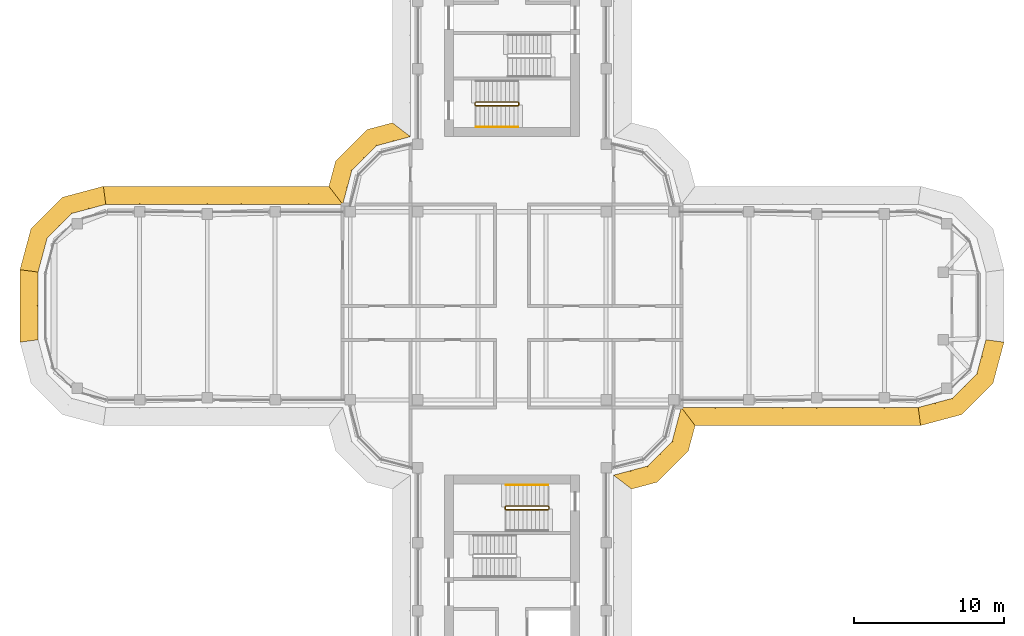
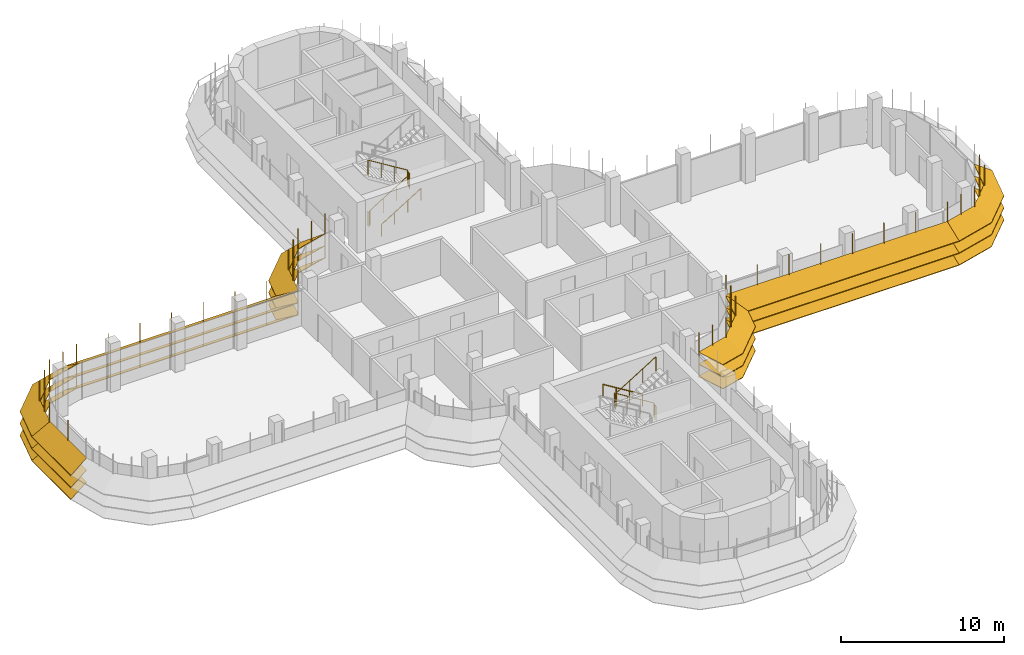
# One storey, part 17 of 19: 7 shading devices, 4 railings.
"""IFC4 building model written with IfcOpenShell, lengths in metres."""

from ifc_helpers import new_model, si_unit, direction, frame, origin, origin_2d, place, context, subcontext, project, spatial, polyline, circle, outline, extrude, faceted_brep, source, transform, mapped, material, type_object, element, save


model = new_model("IFC4")

# Units and contexts
model_context = context("Model", 3, precision=1e-05, world=origin(), true_north=direction((0.0, 1.0)))
body_context = subcontext(model_context, "Body", "Model", "MODEL_VIEW")
ifc_project = project(units=[si_unit("LENGTHUNIT", "METRE"), si_unit("AREAUNIT", "SQUARE_METRE"), si_unit("VOLUMEUNIT", "CUBIC_METRE"), si_unit("PLANEANGLEUNIT", "RADIAN"), si_unit("MASSUNIT", "GRAM", prefix="KILO")], contexts=[model_context])

# Site, building, storey
site_placement = place(None, origin())
site = spatial("IfcSite", under=ifc_project, at=site_placement, CompositionType="ELEMENT")
building_placement = place(site_placement, origin())
building = spatial("IfcBuilding", under=site, at=building_placement, Name="Zarbagh Exchange Tower", CompositionType="ELEMENT")
storey_placement = place(building_placement, frame((0.0, 0.0, 218.199951171875)))
storey = spatial("IfcBuildingStorey", under=building, at=storey_placement, Name="L53", CompositionType="ELEMENT", Elevation=218.199951171875)

# Railings
ifc_material_1 = material(Name="Stainless steel", Category="steel")
railing_type_1 = type_object("IfcRailingType", Name="Stair guard 1100 mm", PredefinedType="GUARDRAIL", material=ifc_material_1)
railing_1_placement = place(storey_placement, frame((-2.449951171875, 13.5, 0.0)))
element("IfcRailing", 1, at=railing_1_placement, inside=storey, type_object=railing_type_1, Name="ST2 stair guard 1", PredefinedType="GUARDRAIL", context=body_context, shape_type="SweptSolid", body=[
    extrude(circle(Radius=0.02392578125, at=origin_2d()), frame((0.0, 0.0, 1.076171875), z_axis=(0.0, -1.0, 0.0), x_axis=(1.0, 0.0, 0.0)), (0.0, 0.0, 1.0), 0.14990234375),
    extrude(circle(Radius=0.02392578125, at=origin_2d()), frame((0.0, -0.14990234375, 1.076171875), z_axis=(0.267953482034, -0.267953482034, 0.925419830635), x_axis=(0.707106781187, 0.707106781187, 0.0)), (0.0, 0.0, 1.0), 0.186767578125),
    extrude(circle(Radius=0.02392578125, at=origin_2d()), frame((0.050048828125, -0.199951171875, 1.2490234375), z_axis=(0.851069175582, 0.0, 0.525053576669), x_axis=(0.0, 1.0, 0.0)), (0.0, 0.0, 1.0), 3.289794921875),
    extrude(circle(Radius=0.02392578125, at=origin_2d()), frame((2.849853515625, -0.199951171875, 2.97607421875), z_axis=(0.707106781187, 0.707106781187, 0.0), x_axis=(-0.707106781187, 0.707106781187, 0.0)), (0.0, 0.0, 1.0), 0.07080078125),
    extrude(circle(Radius=0.02392578125, at=origin_2d()), frame((2.89990234375, -0.14990234375, 2.97607421875), z_axis=(0.0, 1.0, 0.0), x_axis=(-1.0, 0.0, 0.0)), (0.0, 0.0, 1.0), 0.14990234375),
    extrude(circle(Radius=0.02392578125, at=origin_2d()), frame((2.89990234375, 0.0, 2.97607421875), z_axis=(-0.268277960024, 0.268277960024, 0.925231793839), x_axis=(-0.707106781187, -0.707106781187, 0.0)), (0.0, 0.0, 1.0), 0.1865234375),
    extrude(circle(Radius=0.02392578125, at=origin_2d()), frame((2.849853515625, 0.050048828125, 3.14892578125), z_axis=(-0.851069175582, 0.0, 0.525053576669), x_axis=(0.0, -1.0, 0.0)), (0.0, 0.0, 1.0), 3.289794921875),
    extrude(circle(Radius=0.02099609375, at=origin_2d()), origin(), (0.0, 0.0, 1.0), 1.052001953125),
    extrude(circle(Radius=0.02099609375, at=origin_2d()), frame((0.0, -0.14990234375, 0.0)), (0.0, 0.0, 1.0), 1.052001953125),
    extrude(circle(Radius=0.02099609375, at=origin_2d()), frame((0.050048828125, -0.199951171875, 0.1728515625)), (0.0, 0.0, 1.0), 1.052001953125),
    extrude(circle(Radius=0.02099609375, at=origin_2d()), frame((0.9833984375, -0.199951171875, 0.74853515625)), (0.0, 0.0, 1.0), 1.052001953125),
    extrude(circle(Radius=0.02099609375, at=origin_2d()), frame((1.91650390625, -0.199951171875, 1.324462890625)), (0.0, 0.0, 1.0), 1.052001953125),
    extrude(circle(Radius=0.02099609375, at=origin_2d()), frame((2.849853515625, -0.199951171875, 1.900146484375)), (0.0, 0.0, 1.0), 1.052001953125),
    extrude(circle(Radius=0.02099609375, at=origin_2d()), frame((2.89990234375, -0.14990234375, 1.900146484375)), (0.0, 0.0, 1.0), 1.052001953125),
    extrude(circle(Radius=0.02099609375, at=origin_2d()), frame((2.89990234375, 0.0, 1.900146484375)), (0.0, 0.0, 1.0), 1.052001953125),
    extrude(circle(Radius=0.02099609375, at=origin_2d()), frame((2.849853515625, 0.050048828125, 2.07275390625)), (0.0, 0.0, 1.0), 1.052001953125),
    extrude(circle(Radius=0.02099609375, at=origin_2d()), frame((1.91650390625, 0.050048828125, 2.6484375)), (0.0, 0.0, 1.0), 1.052001953125),
    extrude(circle(Radius=0.02099609375, at=origin_2d()), frame((0.9833984375, 0.050048828125, 3.224365234375)), (0.0, 0.0, 1.0), 1.052001953125),
    extrude(circle(Radius=0.02099609375, at=origin_2d()), frame((0.050048828125, 0.050048828125, 3.800048828125)), (0.0, 0.0, 1.0), 1.052001953125),
])
railing_2_placement = place(storey_placement, frame((2.449951171875, -13.5, 0.0)))
element("IfcRailing", 2, at=railing_2_placement, inside=storey, type_object=railing_type_1, Name="ST4 stair guard 1", PredefinedType="GUARDRAIL", context=body_context, shape_type="SweptSolid", body=[
    extrude(circle(Radius=0.02392578125, at=origin_2d()), frame((0.0, 0.0, 1.076171875), z_axis=(0.0, 1.0, 0.0), x_axis=(-1.0, 0.0, 0.0)), (0.0, 0.0, 1.0), 0.14990234375),
    extrude(circle(Radius=0.02392578125, at=origin_2d()), frame((0.0, 0.14990234375, 1.076171875), z_axis=(-0.267953482034, 0.267953482034, 0.925419830635), x_axis=(-0.707106781187, -0.707106781187, 0.0)), (0.0, 0.0, 1.0), 0.186767578125),
    extrude(circle(Radius=0.02392578125, at=origin_2d()), frame((-0.050048828125, 0.199951171875, 1.2490234375), z_axis=(-0.851069175582, 0.0, 0.525053576669), x_axis=(0.0, -1.0, 0.0)), (0.0, 0.0, 1.0), 3.289794921875),
    extrude(circle(Radius=0.02392578125, at=origin_2d()), frame((-2.849853515625, 0.199951171875, 2.97607421875), z_axis=(-0.707106781187, -0.707106781187, 0.0), x_axis=(0.707106781187, -0.707106781187, 0.0)), (0.0, 0.0, 1.0), 0.07080078125),
    extrude(circle(Radius=0.02392578125, at=origin_2d()), frame((-2.89990234375, 0.14990234375, 2.97607421875), z_axis=(0.0, -1.0, 0.0), x_axis=(1.0, 0.0, 0.0)), (0.0, 0.0, 1.0), 0.14990234375),
    extrude(circle(Radius=0.02392578125, at=origin_2d()), frame((-2.89990234375, 0.0, 2.97607421875), z_axis=(0.268277960024, -0.268277960024, 0.925231793839), x_axis=(0.707106781187, 0.707106781187, 0.0)), (0.0, 0.0, 1.0), 0.1865234375),
    extrude(circle(Radius=0.02392578125, at=origin_2d()), frame((-2.849853515625, -0.050048828125, 3.14892578125), z_axis=(0.851069175582, 0.0, 0.525053576669), x_axis=(0.0, 1.0, 0.0)), (0.0, 0.0, 1.0), 3.289794921875),
    extrude(circle(Radius=0.02099609375, at=origin_2d()), origin(), (0.0, 0.0, 1.0), 1.052001953125),
    extrude(circle(Radius=0.02099609375, at=origin_2d()), frame((0.0, 0.14990234375, 0.0)), (0.0, 0.0, 1.0), 1.052001953125),
    extrude(circle(Radius=0.02099609375, at=origin_2d()), frame((-0.050048828125, 0.199951171875, 0.1728515625)), (0.0, 0.0, 1.0), 1.052001953125),
    extrude(circle(Radius=0.02099609375, at=origin_2d()), frame((-0.9833984375, 0.199951171875, 0.74853515625)), (0.0, 0.0, 1.0), 1.052001953125),
    extrude(circle(Radius=0.02099609375, at=origin_2d()), frame((-1.91650390625, 0.199951171875, 1.324462890625)), (0.0, 0.0, 1.0), 1.052001953125),
    extrude(circle(Radius=0.02099609375, at=origin_2d()), frame((-2.849853515625, 0.199951171875, 1.900146484375)), (0.0, 0.0, 1.0), 1.052001953125),
    extrude(circle(Radius=0.02099609375, at=origin_2d()), frame((-2.89990234375, 0.14990234375, 1.900146484375)), (0.0, 0.0, 1.0), 1.052001953125),
    extrude(circle(Radius=0.02099609375, at=origin_2d()), frame((-2.89990234375, 0.0, 1.900146484375)), (0.0, 0.0, 1.0), 1.052001953125),
    extrude(circle(Radius=0.02099609375, at=origin_2d()), frame((-2.849853515625, -0.050048828125, 2.07275390625)), (0.0, 0.0, 1.0), 1.052001953125),
    extrude(circle(Radius=0.02099609375, at=origin_2d()), frame((-1.91650390625, -0.050048828125, 2.6484375)), (0.0, 0.0, 1.0), 1.052001953125),
    extrude(circle(Radius=0.02099609375, at=origin_2d()), frame((-0.9833984375, -0.050048828125, 3.224365234375)), (0.0, 0.0, 1.0), 1.052001953125),
    extrude(circle(Radius=0.02099609375, at=origin_2d()), frame((-0.050048828125, -0.050048828125, 3.800048828125)), (0.0, 0.0, 1.0), 1.052001953125),
])
railing_type_2 = type_object("IfcRailingType", Name="Stair handrail 900 mm", PredefinedType="HANDRAIL", material=ifc_material_1)
railing_3_placement = place(storey_placement, frame((-2.39990234375, 11.89990234375, 0.1728515625)))
element("IfcRailing", 3, at=railing_3_placement, inside=storey, type_object=railing_type_2, Name="ST2 stair handrail 1", PredefinedType="HANDRAIL", context=body_context, shape_type="SweptSolid", body=[
    extrude(circle(Radius=0.02392578125, at=origin_2d()), frame((0.0, 0.0, 0.8759765625), z_axis=(0.851069175582, 0.0, 0.525053576669), x_axis=(0.0, 1.0, 0.0)), (0.0, 0.0, 1.0), 3.289794921875),
    extrude(circle(Radius=0.02099609375, at=origin_2d()), origin(), (0.0, 0.0, 1.0), 0.851806640625),
    extrude(circle(Radius=0.02099609375, at=origin_2d()), frame((0.933349609375, 0.0, 0.57568359375)), (0.0, 0.0, 1.0), 0.851806640625),
    extrude(circle(Radius=0.02099609375, at=origin_2d()), frame((1.866455078125, 0.0, 1.151611328125)), (0.0, 0.0, 1.0), 0.851806640625),
    extrude(circle(Radius=0.02099609375, at=origin_2d()), frame((2.7998046875, 0.0, 1.727294921875)), (0.0, 0.0, 1.0), 0.851806640625),
])
railing_4_placement = place(storey_placement, frame((2.39990234375, -11.89990234375, 0.1728515625)))
element("IfcRailing", 4, at=railing_4_placement, inside=storey, type_object=railing_type_2, Name="ST4 stair handrail 1", PredefinedType="HANDRAIL", context=body_context, shape_type="SweptSolid", body=[
    extrude(circle(Radius=0.02392578125, at=origin_2d()), frame((0.0, 0.0, 0.8759765625), z_axis=(-0.851069175582, 0.0, 0.525053576669), x_axis=(0.0, -1.0, 0.0)), (0.0, 0.0, 1.0), 3.289794921875),
    extrude(circle(Radius=0.02099609375, at=origin_2d()), origin(), (0.0, 0.0, 1.0), 0.851806640625),
    extrude(circle(Radius=0.02099609375, at=origin_2d()), frame((-0.933349609375, 0.0, 0.57568359375)), (0.0, 0.0, 1.0), 0.851806640625),
    extrude(circle(Radius=0.02099609375, at=origin_2d()), frame((-1.866455078125, 0.0, 1.151611328125)), (0.0, 0.0, 1.0), 0.851806640625),
    extrude(circle(Radius=0.02099609375, at=origin_2d()), frame((-2.7998046875, 0.0, 1.727294921875)), (0.0, 0.0, 1.0), 0.851806640625),
])

# Shading devices
ifc_material_2 = material(Name="Anodised aluminium blades and brackets", Category="aluminium")
shading_device_type = type_object("IfcShadingDeviceType", Name="SUNSHADE louvre band, 33.75 degree blades", PredefinedType="JALOUSIE", material=ifc_material_2)
shared_shape_1 = source(origin(), body_context, "Body", "Brep", [
    faceted_brep([(0.0, 0.0, 0.0), (0.0, 0.0, -0.048095703125), (-0.157958984375, -1.199951171875, -0.849853515625), (-0.157958984375, -1.199951171875, -0.8017578125), (2.65087890625, -1.199951171875, -0.8017578125), (2.65087890625, -1.199951171875, -0.849853515625), (2.329345703125, 0.0, -0.048095703125), (2.329345703125, 0.0, 0.0)], [[[0, 1, 2, 3]], [[4, 5, 6, 7]], [[0, 7, 6, 1]], [[1, 6, 5, 2]], [[2, 5, 4, 3]], [[3, 4, 7, 0]]]),
])
shared_shape_2 = source(origin(), body_context, "Body", "Brep", [
    faceted_brep([(0.0, 0.0, 0.0), (0.0, 0.0, -0.048095703125), (-0.321533203125, -1.199951171875, -0.849853515625), (-0.321533203125, -1.199951171875, -0.8017578125), (2.65087890625, -1.199951171875, -0.8017578125), (2.65087890625, -1.199951171875, -0.849853515625), (2.329345703125, 0.0, -0.048095703125), (2.329345703125, 0.0, 0.0)], [[[0, 1, 2, 3]], [[4, 5, 6, 7]], [[0, 7, 6, 1]], [[1, 6, 5, 2]], [[2, 5, 4, 3]], [[3, 4, 7, 0]]]),
])
shared_shape_3 = source(origin(), body_context, "Body", "Brep", [
    faceted_brep([(0.0, 0.0, 0.0), (0.0, 0.0, -0.048095703125), (-0.321533203125, -1.199951171875, -0.849853515625), (-0.321533203125, -1.199951171875, -0.8017578125), (2.4873046875, -1.199951171875, -0.8017578125), (2.4873046875, -1.199951171875, -0.849853515625), (2.329345703125, 0.0, -0.048095703125), (2.329345703125, 0.0, 0.0)], [[[0, 1, 2, 3]], [[4, 5, 6, 7]], [[0, 7, 6, 1]], [[1, 6, 5, 2]], [[2, 5, 4, 3]], [[3, 4, 7, 0]]]),
])
shared_shape_4 = source(origin(), body_context, "Body", "SweptSolid", [
    extrude(outline(polyline([(0.0, -0.012451171875), (0.06005859375, -0.012451171875), (0.06005859375, 0.012451171875), (0.0, 0.012451171875), (0.0, -0.012451171875)])), origin(), (0.0, 0.0, 1.0), 3.358154296875),
])
placement = place(storey_placement, origin())
element("IfcShadingDevice", 5, at=placement, inside=storey, type_object=shading_device_type, Name="SS31 sunshade band", PredefinedType="JALOUSIE", context=body_context, shape_type="MappedRepresentation", body=[
    mapped(shared_shape_1, transform((27.0, -6.75, 2.300048828125), x_axis=(0.965924289636, 0.258824779902, 0.0), y_axis=(-0.258824779902, 0.965924289636, 0.0), z_axis=(0.0, 0.0, 1.0))),
    mapped(shared_shape_1, transform((27.0, -6.75, 1.400146484375), x_axis=(0.965924289636, 0.258824779902, 0.0), y_axis=(-0.258824779902, 0.965924289636, 0.0), z_axis=(0.0, 0.0, 1.0))),
    mapped(shared_shape_1, transform((27.0, -6.75, 0.5), x_axis=(0.965924289636, 0.258824779902, 0.0), y_axis=(-0.258824779902, 0.965924289636, 0.0), z_axis=(0.0, 0.0, 1.0))),
    mapped(shared_shape_2, transform((29.25, -6.147216796875, 2.300048828125), x_axis=(0.707106781187, 0.707106781187, 0.0), y_axis=(-0.707106781187, 0.707106781187, 0.0), z_axis=(0.0, 0.0, 1.0))),
    mapped(shared_shape_2, transform((29.25, -6.147216796875, 1.400146484375), x_axis=(0.707106781187, 0.707106781187, 0.0), y_axis=(-0.707106781187, 0.707106781187, 0.0), z_axis=(0.0, 0.0, 1.0))),
    mapped(shared_shape_2, transform((29.25, -6.147216796875, 0.5), x_axis=(0.707106781187, 0.707106781187, 0.0), y_axis=(-0.707106781187, 0.707106781187, 0.0), z_axis=(0.0, 0.0, 1.0))),
    mapped(shared_shape_3, transform((30.897216796875, -4.5, 2.300048828125), x_axis=(0.258824779902, 0.965924289636, 0.0), y_axis=(-0.965924289636, 0.258824779902, 0.0), z_axis=(0.0, 0.0, 1.0))),
    mapped(shared_shape_3, transform((30.897216796875, -4.5, 1.400146484375), x_axis=(0.258824779902, 0.965924289636, 0.0), y_axis=(-0.965924289636, 0.258824779902, 0.0), z_axis=(0.0, 0.0, 1.0))),
    mapped(shared_shape_3, transform((30.897216796875, -4.5, 0.5), x_axis=(0.258824779902, 0.965924289636, 0.0), y_axis=(-0.965924289636, 0.258824779902, 0.0), z_axis=(0.0, 0.0, 1.0))),
    mapped(shared_shape_4, transform((27.0, -6.75, 0.421875), x_axis=(0.130529263012, -0.991444457092, 0.0), y_axis=(0.991444457092, 0.130529263012, 0.0), z_axis=(0.0, 0.0, 1.0))),
    mapped(shared_shape_4, transform((28.125, -6.448486328125, 0.421875), x_axis=(0.258825058029, -0.96592421511, 0.0), y_axis=(0.96592421511, 0.258825058029, 0.0), z_axis=(0.0, 0.0, 1.0))),
    mapped(shared_shape_4, transform((29.25, -6.147216796875, 0.421875), x_axis=(0.50000275701, -0.866023812018, 0.0), y_axis=(0.866023812018, 0.50000275701, 0.0), z_axis=(0.0, 0.0, 1.0))),
    mapped(shared_shape_4, transform((30.073486328125, -5.323486328125, 0.421875), x_axis=(0.707106781187, -0.707106781187, 0.0), y_axis=(0.707106781187, 0.707106781187, 0.0), z_axis=(0.0, 0.0, 1.0))),
    mapped(shared_shape_4, transform((30.897216796875, -4.5, 0.421875), x_axis=(0.866023812018, -0.50000275701, 0.0), y_axis=(0.50000275701, 0.866023812018, 0.0), z_axis=(0.0, 0.0, 1.0))),
    mapped(shared_shape_4, transform((31.198486328125, -3.375, 0.421875), x_axis=(0.96592421511, -0.258825058029, 0.0), y_axis=(0.258825058029, 0.96592421511, 0.0), z_axis=(0.0, 0.0, 1.0))),
])
element("IfcShadingDevice", 6, at=placement, inside=storey, type_object=shading_device_type, Name="SS41 sunshade band", PredefinedType="JALOUSIE", context=body_context, shape_type="MappedRepresentation", body=[
    mapped(shared_shape_1, transform((-27.0, 6.75, 2.300048828125), x_axis=(-0.965924289636, -0.258824779902, 0.0), y_axis=(0.258824779902, -0.965924289636, 0.0), z_axis=(0.0, 0.0, 1.0))),
    mapped(shared_shape_1, transform((-27.0, 6.75, 1.400146484375), x_axis=(-0.965924289636, -0.258824779902, 0.0), y_axis=(0.258824779902, -0.965924289636, 0.0), z_axis=(0.0, 0.0, 1.0))),
    mapped(shared_shape_1, transform((-27.0, 6.75, 0.5), x_axis=(-0.965924289636, -0.258824779902, 0.0), y_axis=(0.258824779902, -0.965924289636, 0.0), z_axis=(0.0, 0.0, 1.0))),
    mapped(shared_shape_2, transform((-29.25, 6.147216796875, 2.300048828125), x_axis=(-0.707106781187, -0.707106781187, 0.0), y_axis=(0.707106781187, -0.707106781187, 0.0), z_axis=(0.0, 0.0, 1.0))),
    mapped(shared_shape_2, transform((-29.25, 6.147216796875, 1.400146484375), x_axis=(-0.707106781187, -0.707106781187, 0.0), y_axis=(0.707106781187, -0.707106781187, 0.0), z_axis=(0.0, 0.0, 1.0))),
    mapped(shared_shape_2, transform((-29.25, 6.147216796875, 0.5), x_axis=(-0.707106781187, -0.707106781187, 0.0), y_axis=(0.707106781187, -0.707106781187, 0.0), z_axis=(0.0, 0.0, 1.0))),
    mapped(shared_shape_3, transform((-30.897216796875, 4.5, 2.300048828125), x_axis=(-0.258824779902, -0.965924289636, 0.0), y_axis=(0.965924289636, -0.258824779902, 0.0), z_axis=(0.0, 0.0, 1.0))),
    mapped(shared_shape_3, transform((-30.897216796875, 4.5, 1.400146484375), x_axis=(-0.258824779902, -0.965924289636, 0.0), y_axis=(0.965924289636, -0.258824779902, 0.0), z_axis=(0.0, 0.0, 1.0))),
    mapped(shared_shape_3, transform((-30.897216796875, 4.5, 0.5), x_axis=(-0.258824779902, -0.965924289636, 0.0), y_axis=(0.965924289636, -0.258824779902, 0.0), z_axis=(0.0, 0.0, 1.0))),
    mapped(shared_shape_4, transform((-27.0, 6.75, 0.421875), x_axis=(-0.130529263012, 0.991444457092, 0.0), y_axis=(-0.991444457092, -0.130529263012, 0.0), z_axis=(0.0, 0.0, 1.0))),
    mapped(shared_shape_4, transform((-28.125, 6.448486328125, 0.421875), x_axis=(-0.258825058029, 0.96592421511, 0.0), y_axis=(-0.96592421511, -0.258825058029, 0.0), z_axis=(0.0, 0.0, 1.0))),
    mapped(shared_shape_4, transform((-29.25, 6.147216796875, 0.421875), x_axis=(-0.50000275701, 0.866023812018, 0.0), y_axis=(-0.866023812018, -0.50000275701, 0.0), z_axis=(0.0, 0.0, 1.0))),
    mapped(shared_shape_4, transform((-30.073486328125, 5.323486328125, 0.421875), x_axis=(-0.707106781187, 0.707106781187, 0.0), y_axis=(-0.707106781187, -0.707106781187, 0.0), z_axis=(0.0, 0.0, 1.0))),
    mapped(shared_shape_4, transform((-30.897216796875, 4.5, 0.421875), x_axis=(-0.866023812018, 0.50000275701, 0.0), y_axis=(-0.50000275701, -0.866023812018, 0.0), z_axis=(0.0, 0.0, 1.0))),
    mapped(shared_shape_4, transform((-31.198486328125, 3.375, 0.421875), x_axis=(-0.96592421511, 0.258825058029, 0.0), y_axis=(-0.258825058029, -0.96592421511, 0.0), z_axis=(0.0, 0.0, 1.0))),
])
shared_shape_5 = source(origin(), body_context, "Body", "Brep", [
    faceted_brep([(0.0, 0.0, 0.0), (0.0, 0.0, -0.048095703125), (0.9208984375, -1.199951171875, -0.849853515625), (0.9208984375, -1.199951171875, -0.8017578125), (2.65087890625, -1.199951171875, -0.8017578125), (2.65087890625, -1.199951171875, -0.849853515625), (2.329345703125, 0.0, -0.048095703125), (2.329345703125, 0.0, 0.0)], [[[0, 1, 2, 3]], [[4, 5, 6, 7]], [[0, 7, 6, 1]], [[1, 6, 5, 2]], [[2, 5, 4, 3]], [[3, 4, 7, 0]]]),
])
shared_shape_6 = source(origin(), body_context, "Body", "Brep", [
    faceted_brep([(0.0, 0.0, 0.0), (0.0, 0.0, -0.048095703125), (-0.321533203125, -1.199951171875, -0.849853515625), (-0.321533203125, -1.199951171875, -0.8017578125), (1.40869140625, -1.199951171875, -0.8017578125), (1.40869140625, -1.199951171875, -0.849853515625), (2.329345703125, 0.0, -0.048095703125), (2.329345703125, 0.0, 0.0)], [[[0, 1, 2, 3]], [[4, 5, 6, 7]], [[0, 7, 6, 1]], [[1, 6, 5, 2]], [[2, 5, 4, 3]], [[3, 4, 7, 0]]]),
])
element("IfcShadingDevice", 7, at=placement, inside=storey, type_object=shading_device_type, Name="SS03 sunshade band", PredefinedType="JALOUSIE", context=body_context, shape_type="MappedRepresentation", body=[
    mapped(shared_shape_5, transform((6.75, -11.25, 2.300048828125), x_axis=(0.965924289636, 0.258824779902, 0.0), y_axis=(-0.258824779902, 0.965924289636, 0.0), z_axis=(0.0, 0.0, 1.0))),
    mapped(shared_shape_5, transform((6.75, -11.25, 1.400146484375), x_axis=(0.965924289636, 0.258824779902, 0.0), y_axis=(-0.258824779902, 0.965924289636, 0.0), z_axis=(0.0, 0.0, 1.0))),
    mapped(shared_shape_5, transform((6.75, -11.25, 0.5), x_axis=(0.965924289636, 0.258824779902, 0.0), y_axis=(-0.258824779902, 0.965924289636, 0.0), z_axis=(0.0, 0.0, 1.0))),
    mapped(shared_shape_2, transform((9.0, -10.647216796875, 2.300048828125), x_axis=(0.707106781187, 0.707106781187, 0.0), y_axis=(-0.707106781187, 0.707106781187, 0.0), z_axis=(0.0, 0.0, 1.0))),
    mapped(shared_shape_2, transform((9.0, -10.647216796875, 1.400146484375), x_axis=(0.707106781187, 0.707106781187, 0.0), y_axis=(-0.707106781187, 0.707106781187, 0.0), z_axis=(0.0, 0.0, 1.0))),
    mapped(shared_shape_2, transform((9.0, -10.647216796875, 0.5), x_axis=(0.707106781187, 0.707106781187, 0.0), y_axis=(-0.707106781187, 0.707106781187, 0.0), z_axis=(0.0, 0.0, 1.0))),
    mapped(shared_shape_6, transform((10.647216796875, -9.0, 2.300048828125), x_axis=(0.258824779902, 0.965924289636, 0.0), y_axis=(-0.965924289636, 0.258824779902, 0.0), z_axis=(0.0, 0.0, 1.0))),
    mapped(shared_shape_6, transform((10.647216796875, -9.0, 1.400146484375), x_axis=(0.258824779902, 0.965924289636, 0.0), y_axis=(-0.965924289636, 0.258824779902, 0.0), z_axis=(0.0, 0.0, 1.0))),
    mapped(shared_shape_6, transform((10.647216796875, -9.0, 0.5), x_axis=(0.258824779902, 0.965924289636, 0.0), y_axis=(-0.965924289636, 0.258824779902, 0.0), z_axis=(0.0, 0.0, 1.0))),
    mapped(shared_shape_4, transform((6.75, -11.25, 0.421875), x_axis=(0.793355287, -0.608758892, 0.0), y_axis=(0.608758892, 0.793355287, 0.0), z_axis=(0.0, 0.0, 1.0))),
    mapped(shared_shape_4, transform((7.875, -10.948486328125, 0.421875), x_axis=(0.258825058029, -0.96592421511, 0.0), y_axis=(0.96592421511, 0.258825058029, 0.0), z_axis=(0.0, 0.0, 1.0))),
    mapped(shared_shape_4, transform((9.0, -10.647216796875, 0.421875), x_axis=(0.50000275701, -0.866023812018, 0.0), y_axis=(0.866023812018, 0.50000275701, 0.0), z_axis=(0.0, 0.0, 1.0))),
    mapped(shared_shape_4, transform((9.823486328125, -9.823486328125, 0.421875), x_axis=(0.707106781187, -0.707106781187, 0.0), y_axis=(0.707106781187, 0.707106781187, 0.0), z_axis=(0.0, 0.0, 1.0))),
    mapped(shared_shape_4, transform((10.647216796875, -9.0, 0.421875), x_axis=(0.866023812018, -0.50000275701, 0.0), y_axis=(0.50000275701, 0.866023812018, 0.0), z_axis=(0.0, 0.0, 1.0))),
    mapped(shared_shape_4, transform((10.948486328125, -7.875, 0.421875), x_axis=(0.96592421511, -0.258825058029, 0.0), y_axis=(0.258825058029, 0.96592421511, 0.0), z_axis=(0.0, 0.0, 1.0))),
])
element("IfcShadingDevice", 8, at=placement, inside=storey, type_object=shading_device_type, Name="SS15 sunshade band", PredefinedType="JALOUSIE", context=body_context, shape_type="MappedRepresentation", body=[
    mapped(shared_shape_5, transform((-6.75, 11.25, 2.300048828125), x_axis=(-0.965924289636, -0.258824779902, 0.0), y_axis=(0.258824779902, -0.965924289636, 0.0), z_axis=(0.0, 0.0, 1.0))),
    mapped(shared_shape_5, transform((-6.75, 11.25, 1.400146484375), x_axis=(-0.965924289636, -0.258824779902, 0.0), y_axis=(0.258824779902, -0.965924289636, 0.0), z_axis=(0.0, 0.0, 1.0))),
    mapped(shared_shape_5, transform((-6.75, 11.25, 0.5), x_axis=(-0.965924289636, -0.258824779902, 0.0), y_axis=(0.258824779902, -0.965924289636, 0.0), z_axis=(0.0, 0.0, 1.0))),
    mapped(shared_shape_2, transform((-9.0, 10.647216796875, 2.300048828125), x_axis=(-0.707106781187, -0.707106781187, 0.0), y_axis=(0.707106781187, -0.707106781187, 0.0), z_axis=(0.0, 0.0, 1.0))),
    mapped(shared_shape_2, transform((-9.0, 10.647216796875, 1.400146484375), x_axis=(-0.707106781187, -0.707106781187, 0.0), y_axis=(0.707106781187, -0.707106781187, 0.0), z_axis=(0.0, 0.0, 1.0))),
    mapped(shared_shape_2, transform((-9.0, 10.647216796875, 0.5), x_axis=(-0.707106781187, -0.707106781187, 0.0), y_axis=(0.707106781187, -0.707106781187, 0.0), z_axis=(0.0, 0.0, 1.0))),
    mapped(shared_shape_6, transform((-10.647216796875, 9.0, 2.300048828125), x_axis=(-0.258824779902, -0.965924289636, 0.0), y_axis=(0.965924289636, -0.258824779902, 0.0), z_axis=(0.0, 0.0, 1.0))),
    mapped(shared_shape_6, transform((-10.647216796875, 9.0, 1.400146484375), x_axis=(-0.258824779902, -0.965924289636, 0.0), y_axis=(0.965924289636, -0.258824779902, 0.0), z_axis=(0.0, 0.0, 1.0))),
    mapped(shared_shape_6, transform((-10.647216796875, 9.0, 0.5), x_axis=(-0.258824779902, -0.965924289636, 0.0), y_axis=(0.965924289636, -0.258824779902, 0.0), z_axis=(0.0, 0.0, 1.0))),
    mapped(shared_shape_4, transform((-6.75, 11.25, 0.421875), x_axis=(-0.793355287, 0.608758892, 0.0), y_axis=(-0.608758892, -0.793355287, 0.0), z_axis=(0.0, 0.0, 1.0))),
    mapped(shared_shape_4, transform((-7.875, 10.948486328125, 0.421875), x_axis=(-0.258825058029, 0.96592421511, 0.0), y_axis=(-0.96592421511, -0.258825058029, 0.0), z_axis=(0.0, 0.0, 1.0))),
    mapped(shared_shape_4, transform((-9.0, 10.647216796875, 0.421875), x_axis=(-0.50000275701, 0.866023812018, 0.0), y_axis=(-0.866023812018, -0.50000275701, 0.0), z_axis=(0.0, 0.0, 1.0))),
    mapped(shared_shape_4, transform((-9.823486328125, 9.823486328125, 0.421875), x_axis=(-0.707106781187, 0.707106781187, 0.0), y_axis=(-0.707106781187, -0.707106781187, 0.0), z_axis=(0.0, 0.0, 1.0))),
    mapped(shared_shape_4, transform((-10.647216796875, 9.0, 0.421875), x_axis=(-0.866023812018, 0.50000275701, 0.0), y_axis=(-0.50000275701, -0.866023812018, 0.0), z_axis=(0.0, 0.0, 1.0))),
    mapped(shared_shape_4, transform((-10.948486328125, 7.875, 0.421875), x_axis=(-0.96592421511, 0.258825058029, 0.0), y_axis=(-0.258825058029, -0.96592421511, 0.0), z_axis=(0.0, 0.0, 1.0))),
])
shared_shape_7 = source(origin(), body_context, "Body", "Brep", [
    faceted_brep([(0.0, 0.0, 0.0), (0.0, 0.0, -0.048095703125), (0.9208984375, -1.199951171875, -0.849853515625), (0.9208984375, -1.199951171875, -0.8017578125), (15.907958984375, -1.199951171875, -0.8017578125), (15.907958984375, -1.199951171875, -0.849853515625), (15.75, 0.0, -0.048095703125), (15.75, 0.0, 0.0)], [[[0, 1, 2, 3]], [[4, 5, 6, 7]], [[0, 7, 6, 1]], [[1, 6, 5, 2]], [[2, 5, 4, 3]], [[3, 4, 7, 0]]]),
])
element("IfcShadingDevice", 9, at=placement, inside=storey, type_object=shading_device_type, Name="SS30 sunshade band", PredefinedType="JALOUSIE", context=body_context, shape_type="MappedRepresentation", body=[
    mapped(shared_shape_7, transform((11.25, -6.75, 2.300048828125), x_axis=(1.0, 0.0, 0.0), y_axis=(0.0, 1.0, 0.0), z_axis=(0.0, 0.0, 1.0))),
    mapped(shared_shape_7, transform((11.25, -6.75, 1.400146484375), x_axis=(1.0, 0.0, 0.0), y_axis=(0.0, 1.0, 0.0), z_axis=(0.0, 0.0, 1.0))),
    mapped(shared_shape_7, transform((11.25, -6.75, 0.5), x_axis=(1.0, 0.0, 0.0), y_axis=(0.0, 1.0, 0.0), z_axis=(0.0, 0.0, 1.0))),
    mapped(shared_shape_4, transform((11.25, -6.75, 0.421875), x_axis=(0.608758892, -0.793355287, 0.0), y_axis=(0.793355287, 0.608758892, 0.0), z_axis=(0.0, 0.0, 1.0))),
    mapped(shared_shape_4, transform((13.5, -6.75, 0.421875), x_axis=(0.0, -1.0, 0.0), y_axis=(1.0, 0.0, 0.0), z_axis=(0.0, 0.0, 1.0))),
    mapped(shared_shape_4, transform((15.75, -6.75, 0.421875), x_axis=(0.0, -1.0, 0.0), y_axis=(1.0, 0.0, 0.0), z_axis=(0.0, 0.0, 1.0))),
    mapped(shared_shape_4, transform((18.0, -6.75, 0.421875), x_axis=(0.0, -1.0, 0.0), y_axis=(1.0, 0.0, 0.0), z_axis=(0.0, 0.0, 1.0))),
    mapped(shared_shape_4, transform((20.25, -6.75, 0.421875), x_axis=(0.0, -1.0, 0.0), y_axis=(1.0, 0.0, 0.0), z_axis=(0.0, 0.0, 1.0))),
    mapped(shared_shape_4, transform((22.5, -6.75, 0.421875), x_axis=(0.0, -1.0, 0.0), y_axis=(1.0, 0.0, 0.0), z_axis=(0.0, 0.0, 1.0))),
    mapped(shared_shape_4, transform((24.75, -6.75, 0.421875), x_axis=(0.0, -1.0, 0.0), y_axis=(1.0, 0.0, 0.0), z_axis=(0.0, 0.0, 1.0))),
])
element("IfcShadingDevice", 10, at=placement, inside=storey, type_object=shading_device_type, Name="SS40 sunshade band", PredefinedType="JALOUSIE", context=body_context, shape_type="MappedRepresentation", body=[
    mapped(shared_shape_7, transform((-11.25, 6.75, 2.300048828125), x_axis=(-1.0, 0.0, 0.0), y_axis=(0.0, -1.0, 0.0), z_axis=(0.0, 0.0, 1.0))),
    mapped(shared_shape_7, transform((-11.25, 6.75, 1.400146484375), x_axis=(-1.0, 0.0, 0.0), y_axis=(0.0, -1.0, 0.0), z_axis=(0.0, 0.0, 1.0))),
    mapped(shared_shape_7, transform((-11.25, 6.75, 0.5), x_axis=(-1.0, 0.0, 0.0), y_axis=(0.0, -1.0, 0.0), z_axis=(0.0, 0.0, 1.0))),
    mapped(shared_shape_4, transform((-11.25, 6.75, 0.421875), x_axis=(-0.608758892, 0.793355287, 0.0), y_axis=(-0.793355287, -0.608758892, 0.0), z_axis=(0.0, 0.0, 1.0))),
    mapped(shared_shape_4, transform((-13.5, 6.75, 0.421875), x_axis=(0.0, 1.0, 0.0), y_axis=(-1.0, 0.0, 0.0), z_axis=(0.0, 0.0, 1.0))),
    mapped(shared_shape_4, transform((-15.75, 6.75, 0.421875), x_axis=(0.0, 1.0, 0.0), y_axis=(-1.0, 0.0, 0.0), z_axis=(0.0, 0.0, 1.0))),
    mapped(shared_shape_4, transform((-18.0, 6.75, 0.421875), x_axis=(0.0, 1.0, 0.0), y_axis=(-1.0, 0.0, 0.0), z_axis=(0.0, 0.0, 1.0))),
    mapped(shared_shape_4, transform((-20.25, 6.75, 0.421875), x_axis=(0.0, 1.0, 0.0), y_axis=(-1.0, 0.0, 0.0), z_axis=(0.0, 0.0, 1.0))),
    mapped(shared_shape_4, transform((-22.5, 6.75, 0.421875), x_axis=(0.0, 1.0, 0.0), y_axis=(-1.0, 0.0, 0.0), z_axis=(0.0, 0.0, 1.0))),
    mapped(shared_shape_4, transform((-24.75, 6.75, 0.421875), x_axis=(0.0, 1.0, 0.0), y_axis=(-1.0, 0.0, 0.0), z_axis=(0.0, 0.0, 1.0))),
])
shared_shape_8 = source(origin(), body_context, "Body", "Brep", [
    faceted_brep([(0.0, 0.0, 0.0), (0.0, 0.0, -0.048095703125), (-0.157958984375, -1.199951171875, -0.849853515625), (-0.157958984375, -1.199951171875, -0.8017578125), (4.657958984375, -1.199951171875, -0.8017578125), (4.657958984375, -1.199951171875, -0.849853515625), (4.5, 0.0, -0.048095703125), (4.5, 0.0, 0.0)], [[[0, 1, 2, 3]], [[4, 5, 6, 7]], [[0, 7, 6, 1]], [[1, 6, 5, 2]], [[2, 5, 4, 3]], [[3, 4, 7, 0]]]),
])
element("IfcShadingDevice", 11, at=placement, inside=storey, type_object=shading_device_type, Name="SS42 sunshade band", PredefinedType="JALOUSIE", context=body_context, shape_type="MappedRepresentation", body=[
    mapped(shared_shape_8, transform((-31.5, 2.25, 2.300048828125), x_axis=(0.0, -1.0, 0.0), y_axis=(1.0, 0.0, 0.0), z_axis=(0.0, 0.0, 1.0))),
    mapped(shared_shape_8, transform((-31.5, 2.25, 1.400146484375), x_axis=(0.0, -1.0, 0.0), y_axis=(1.0, 0.0, 0.0), z_axis=(0.0, 0.0, 1.0))),
    mapped(shared_shape_8, transform((-31.5, 2.25, 0.5), x_axis=(0.0, -1.0, 0.0), y_axis=(1.0, 0.0, 0.0), z_axis=(0.0, 0.0, 1.0))),
    mapped(shared_shape_4, transform((-31.5, 2.25, 0.421875), x_axis=(-0.991444457092, 0.130529263012, 0.0), y_axis=(-0.130529263012, -0.991444457092, 0.0), z_axis=(0.0, 0.0, 1.0))),
    mapped(shared_shape_4, transform((-31.5, 0.0, 0.421875), x_axis=(-1.0, 0.0, 0.0), y_axis=(0.0, -1.0, 0.0), z_axis=(0.0, 0.0, 1.0))),
])

save(model, "model.ifc")
